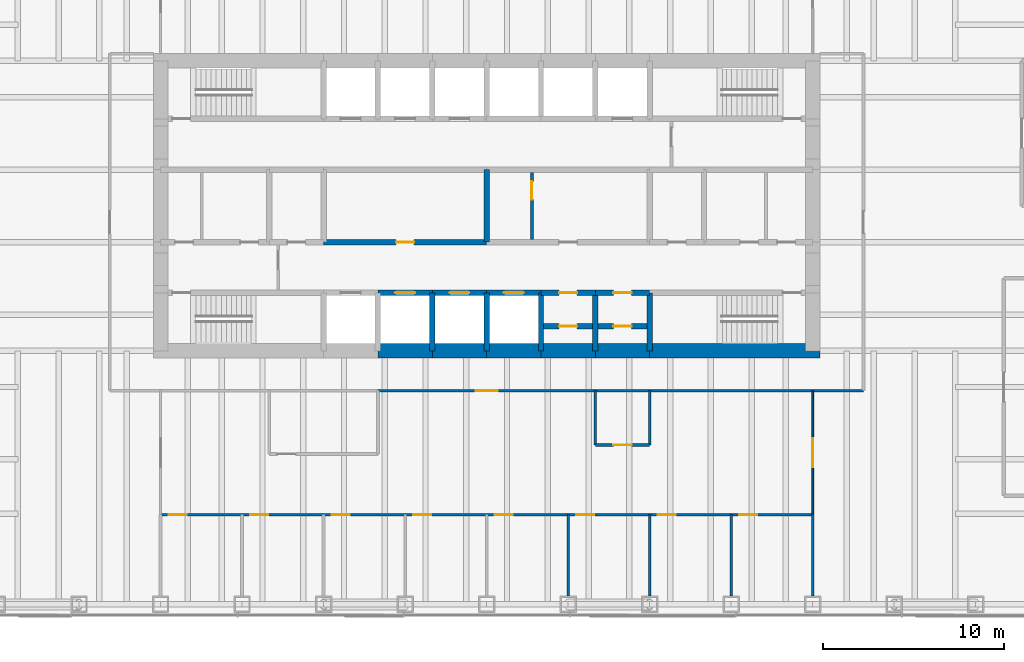
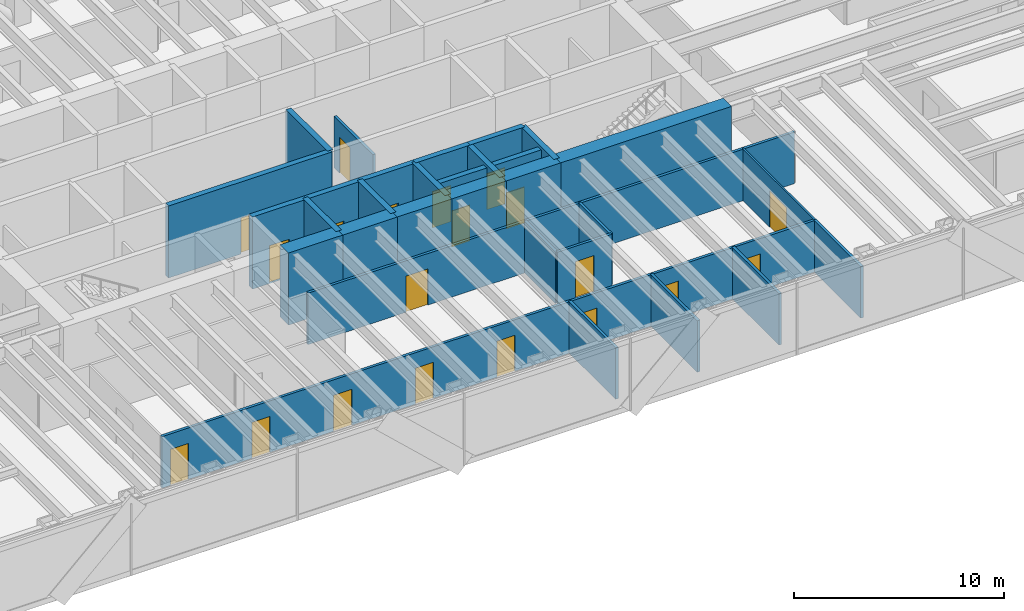
# One storey, part 12 of 16: 31 walls, 20 doors, 20 openings.
"""IFC4 building model written with IfcOpenShell, lengths in metres."""

from ifc_helpers import new_model, si_unit, direction, frame, frame_2d, origin, place, context, subcontext, project, spatial, rectangle, extrude, material, layer, layer_set, type_object, element, fill, save


model = new_model("IFC4")

# Units and contexts
model_context = context("Model", 3, precision=1e-05, world=origin(), true_north=direction((0.0, 1.0)))
body_context = subcontext(model_context, "Body", "Model", "MODEL_VIEW")
ifc_project = project(units=[si_unit("LENGTHUNIT", "METRE"), si_unit("AREAUNIT", "SQUARE_METRE"), si_unit("VOLUMEUNIT", "CUBIC_METRE"), si_unit("PLANEANGLEUNIT", "RADIAN"), si_unit("MASSUNIT", "GRAM", prefix="KILO")], contexts=[model_context])

# Site, building, storey
site_placement = place(None, origin())
site = spatial("IfcSite", under=ifc_project, at=site_placement, CompositionType="ELEMENT")
building_placement = place(site_placement, origin())
building = spatial("IfcBuilding", under=site, at=building_placement, Name="Rheinbord Bourse Tower", CompositionType="ELEMENT")
storey_placement = place(building_placement, frame((0.0, 0.0, 219.39990234375)))
storey = spatial("IfcBuildingStorey", under=building, at=storey_placement, Name="L49", CompositionType="ELEMENT", Elevation=219.39990234375)

# Wall, opening, door
ifc_material_1 = material(Name="Concrete C50/60", Category="concrete")
ifc_layer_1 = layer(ifc_material_1, 0.300048828125)
ifc_layer_set_1 = layer_set([ifc_layer_1], Name="CORE INNER WALL 300")
wall_type_1 = type_object("IfcWallType", Name="CORE INNER WALL 300", PredefinedType="SOLIDWALL", material=ifc_layer_set_1)
wall_1_placement = place(storey_placement, frame((30.0, 19.199951171875, 0.0), z_axis=(0.0, 0.0, 1.0), x_axis=(1.0, 0.0, 0.0)))
wall_1 = element("IfcWall", 1, at=wall_1_placement, inside=storey, type_object=wall_type_1, Name="Core wall A3 L49", PredefinedType="SOLIDWALL", context=body_context, shape_type="SweptSolid", body=[
    extrude(rectangle(XDim=3.0, YDim=0.300048828125, at=frame_2d((1.5, 0.0))), origin(), (0.0, 0.0, 1.0), 4.2001953125),
])
opening_1_placement = place(wall_1_placement, frame((0.949951171875, 0.0, 0.0)))
opening_1 = element("IfcOpeningElement", 2, at=opening_1_placement, cuts=wall_1, Name="Opening PC1", PredefinedType="OPENING", context=body_context, shape_type="SweptSolid", body=[
    extrude(rectangle(XDim=1.10009765625, YDim=2.199951171875, at=frame_2d((0.550048828125, 1.10009765625))), frame((0.0, 0.159912109375, 0.0), z_axis=(0.0, -1.0, 0.0), x_axis=(1.0, 0.0, 0.0)), (0.0, 0.0, 1.0), 0.320068359375),
])
ifc_material_2 = material(Name="Steel landing door", Category="steel")
door_type_1 = type_object("IfcDoorType", Name="LIFT LANDING DOOR 1100", OperationType="DOUBLE_DOOR_SLIDING", PredefinedType="USERDEFINED", material=ifc_material_2)
door_1_placement = place(opening_1_placement, origin())
door_1 = element("IfcDoor", 3, at=door_1_placement, inside=storey, type_object=door_type_1, Name="Lift landing door PC1 L49", ObjectType="LIFT LANDING DOOR", OperationType="DOUBLE_DOOR_SLIDING", OverallHeight=2.199951171875, OverallWidth=1.10009765625, PredefinedType="USERDEFINED", context=body_context, shape_type="SweptSolid", body=[
    extrude(rectangle(XDim=1.10009765625, YDim=2.199951171875, at=frame_2d((0.550048828125, 1.10009765625))), frame((0.0, 0.02490234375, 0.0), z_axis=(0.0, -1.0, 0.0), x_axis=(1.0, 0.0, 0.0)), (0.0, 0.0, 1.0), 0.050048828125),
])
fill(opening_1, door_1)

wall_2_placement = place(storey_placement, frame((33.0, 19.199951171875, 0.0), z_axis=(0.0, 0.0, 1.0), x_axis=(1.0, 0.0, 0.0)))
wall_2 = element("IfcWall", 4, at=wall_2_placement, inside=storey, type_object=wall_type_1, Name="Core wall A4 L49", PredefinedType="SOLIDWALL", context=body_context, shape_type="SweptSolid", body=[
    extrude(rectangle(XDim=3.0, YDim=0.300048828125, at=frame_2d((1.5, 0.0))), origin(), (0.0, 0.0, 1.0), 4.2001953125),
])
opening_2_placement = place(wall_2_placement, frame((0.949951171875, 0.0, 0.0)))
opening_2 = element("IfcOpeningElement", 5, at=opening_2_placement, cuts=wall_2, Name="Opening PC2", PredefinedType="OPENING", context=body_context, shape_type="SweptSolid", body=[
    extrude(rectangle(XDim=1.10009765625, YDim=2.199951171875, at=frame_2d((0.550048828125, 1.10009765625))), frame((0.0, 0.159912109375, 0.0), z_axis=(0.0, -1.0, 0.0), x_axis=(1.0, 0.0, 0.0)), (0.0, 0.0, 1.0), 0.320068359375),
])
door_2_placement = place(opening_2_placement, origin())
door_2 = element("IfcDoor", 6, at=door_2_placement, inside=storey, type_object=door_type_1, Name="Lift landing door PC2 L49", ObjectType="LIFT LANDING DOOR", OperationType="DOUBLE_DOOR_SLIDING", OverallHeight=2.199951171875, OverallWidth=1.10009765625, PredefinedType="USERDEFINED", context=body_context, shape_type="SweptSolid", body=[
    extrude(rectangle(XDim=1.10009765625, YDim=2.199951171875, at=frame_2d((0.550048828125, 1.10009765625))), frame((0.0, 0.02490234375, 0.0), z_axis=(0.0, -1.0, 0.0), x_axis=(1.0, 0.0, 0.0)), (0.0, 0.0, 1.0), 0.050048828125),
])
fill(opening_2, door_2)

wall_3_placement = place(storey_placement, frame((36.0, 19.199951171875, 0.0), z_axis=(0.0, 0.0, 1.0), x_axis=(1.0, 0.0, 0.0)))
wall_3 = element("IfcWall", 7, at=wall_3_placement, inside=storey, type_object=wall_type_1, Name="Core wall A5 L49", PredefinedType="SOLIDWALL", context=body_context, shape_type="SweptSolid", body=[
    extrude(rectangle(XDim=3.0, YDim=0.300048828125, at=frame_2d((1.5, 0.0))), origin(), (0.0, 0.0, 1.0), 4.2001953125),
])
opening_3_placement = place(wall_3_placement, frame((0.949951171875, 0.0, 0.0)))
opening_3 = element("IfcOpeningElement", 8, at=opening_3_placement, cuts=wall_3, Name="Opening PC3", PredefinedType="OPENING", context=body_context, shape_type="SweptSolid", body=[
    extrude(rectangle(XDim=1.10009765625, YDim=2.199951171875, at=frame_2d((0.550048828125, 1.10009765625))), frame((0.0, 0.159912109375, 0.0), z_axis=(0.0, -1.0, 0.0), x_axis=(1.0, 0.0, 0.0)), (0.0, 0.0, 1.0), 0.320068359375),
])
door_3_placement = place(opening_3_placement, origin())
door_3 = element("IfcDoor", 9, at=door_3_placement, inside=storey, type_object=door_type_1, Name="Lift landing door PC3 L49", ObjectType="LIFT LANDING DOOR", OperationType="DOUBLE_DOOR_SLIDING", OverallHeight=2.199951171875, OverallWidth=1.10009765625, PredefinedType="USERDEFINED", context=body_context, shape_type="SweptSolid", body=[
    extrude(rectangle(XDim=1.10009765625, YDim=2.199951171875, at=frame_2d((0.550048828125, 1.10009765625))), frame((0.0, 0.02490234375, 0.0), z_axis=(0.0, -1.0, 0.0), x_axis=(1.0, 0.0, 0.0)), (0.0, 0.0, 1.0), 0.050048828125),
])
fill(opening_3, door_3)

wall_4_placement = place(storey_placement, frame((39.0, 19.199951171875, 0.0), z_axis=(0.0, 0.0, 1.0), x_axis=(1.0, 0.0, 0.0)))
wall_4 = element("IfcWall", 10, at=wall_4_placement, inside=storey, type_object=wall_type_1, Name="Core wall A6 L49", PredefinedType="SOLIDWALL", context=body_context, shape_type="SweptSolid", body=[
    extrude(rectangle(XDim=3.0, YDim=0.300048828125, at=frame_2d((1.5, 0.0))), origin(), (0.0, 0.0, 1.0), 4.2001953125),
])
opening_4_placement = place(wall_4_placement, frame((1.0, 0.0, 0.0)))
opening_4 = element("IfcOpeningElement", 11, at=opening_4_placement, cuts=wall_4, Name="Opening 49R8", PredefinedType="OPENING", context=body_context, shape_type="SweptSolid", body=[
    extrude(rectangle(XDim=1.0, YDim=2.10009765625, at=frame_2d((0.5, 1.050048828125))), frame((0.0, 0.159912109375, 0.0), z_axis=(0.0, -1.0, 0.0), x_axis=(1.0, 0.0, 0.0)), (0.0, 0.0, 1.0), 0.320068359375),
])
ifc_material_3 = material(Name="Steel door", Category="steel")
door_type_2 = type_object("IfcDoorType", Name="DOOR 1000 EI30", OperationType="SINGLE_SWING_LEFT", PredefinedType="DOOR", material=ifc_material_3)
door_4_placement = place(opening_4_placement, origin())
door_4 = element("IfcDoor", 12, at=door_4_placement, inside=storey, type_object=door_type_2, Name="Cleaner's store door L49", OperationType="SINGLE_SWING_LEFT", OverallHeight=2.10009765625, OverallWidth=1.0, PredefinedType="DOOR", context=body_context, shape_type="SweptSolid", body=[
    extrude(rectangle(XDim=1.0, YDim=2.10009765625, at=frame_2d((0.5, 1.050048828125))), frame((0.0, 0.02490234375, 0.0), z_axis=(0.0, -1.0, 0.0), x_axis=(1.0, 0.0, 0.0)), (0.0, 0.0, 1.0), 0.050048828125),
])
fill(opening_4, door_4)

wall_5_placement = place(storey_placement, frame((42.0, 19.199951171875, 0.0), z_axis=(0.0, 0.0, 1.0), x_axis=(1.0, 0.0, 0.0)))
wall_5 = element("IfcWall", 13, at=wall_5_placement, inside=storey, type_object=wall_type_1, Name="Core wall A7 L49", PredefinedType="SOLIDWALL", context=body_context, shape_type="SweptSolid", body=[
    extrude(rectangle(XDim=3.0, YDim=0.300048828125, at=frame_2d((1.5, 0.0))), origin(), (0.0, 0.0, 1.0), 4.2001953125),
])
opening_5_placement = place(wall_5_placement, frame((1.0, 0.0, 0.0)))
opening_5 = element("IfcOpeningElement", 14, at=opening_5_placement, cuts=wall_5, Name="Opening 49R9", PredefinedType="OPENING", context=body_context, shape_type="SweptSolid", body=[
    extrude(rectangle(XDim=1.0, YDim=2.10009765625, at=frame_2d((0.5, 1.050048828125))), frame((0.0, 0.159912109375, 0.0), z_axis=(0.0, -1.0, 0.0), x_axis=(1.0, 0.0, 0.0)), (0.0, 0.0, 1.0), 0.320068359375),
])
door_5_placement = place(opening_5_placement, origin())
door_5 = element("IfcDoor", 15, at=door_5_placement, inside=storey, type_object=door_type_2, Name="Pantry door L49", OperationType="SINGLE_SWING_LEFT", OverallHeight=2.10009765625, OverallWidth=1.0, PredefinedType="DOOR", context=body_context, shape_type="SweptSolid", body=[
    extrude(rectangle(XDim=1.0, YDim=2.10009765625, at=frame_2d((0.5, 1.050048828125))), frame((0.0, 0.02490234375, 0.0), z_axis=(0.0, -1.0, 0.0), x_axis=(1.0, 0.0, 0.0)), (0.0, 0.0, 1.0), 0.050048828125),
])
fill(opening_5, door_5)

wall_6_placement = place(storey_placement, frame((27.0, 22.0, 0.0), z_axis=(0.0, 0.0, 1.0), x_axis=(1.0, 0.0, 0.0)))
wall_6 = element("IfcWall", 16, at=wall_6_placement, inside=storey, type_object=wall_type_1, Name="Core wall C3 L49", PredefinedType="SOLIDWALL", context=body_context, shape_type="SweptSolid", body=[
    extrude(rectangle(XDim=9.0, YDim=0.300048828125, at=frame_2d((4.5, 0.0))), origin(), (0.0, 0.0, 1.0), 4.2001953125),
])
opening_6_placement = place(wall_6_placement, frame((4.0, 0.0, 0.0)))
opening_6 = element("IfcOpeningElement", 17, at=opening_6_placement, cuts=wall_6, Name="Opening 49R3", PredefinedType="OPENING", context=body_context, shape_type="SweptSolid", body=[
    extrude(rectangle(XDim=1.0, YDim=2.10009765625, at=frame_2d((0.5, 1.050048828125))), frame((0.0, 0.159912109375, 0.0), z_axis=(0.0, -1.0, 0.0), x_axis=(1.0, 0.0, 0.0)), (0.0, 0.0, 1.0), 0.320068359375),
])
door_6_placement = place(opening_6_placement, origin())
door_6 = element("IfcDoor", 18, at=door_6_placement, inside=storey, type_object=door_type_2, Name="Riser door L49", OperationType="SINGLE_SWING_LEFT", OverallHeight=2.10009765625, OverallWidth=1.0, PredefinedType="DOOR", context=body_context, shape_type="SweptSolid", body=[
    extrude(rectangle(XDim=1.0, YDim=2.10009765625, at=frame_2d((0.5, 1.050048828125))), frame((0.0, 0.02490234375, 0.0), z_axis=(0.0, -1.0, 0.0), x_axis=(1.0, 0.0, 0.0)), (0.0, 0.0, 1.0), 0.050048828125),
])
fill(opening_6, door_6)

# Walls
for number, where, z_axis, x_axis, name in (
    (19, (33.0, 16.0, 0.0), (0.0, 0.0, 1.0), (0.0, 1.0, 0.0), "Core wall SX33 L49"),
    (20, (36.0, 16.0, 0.0), (0.0, 0.0, 1.0), (0.0, 1.0, 0.0), "Core wall SX36 L49"),
    (21, (39.0, 16.0, 0.0), (0.0, 0.0, 1.0), (0.0, 1.0, 0.0), "Core wall SX39 L49"),
    (22, (42.0, 16.0, 0.0), (0.0, 0.0, 1.0), (0.0, 1.0, 0.0), "Core wall SX42 L49"),
    (23, (45.0, 16.0, 0.0), (0.0, 0.0, 1.0), (0.0, 1.0, 0.0), "Core wall SX45 L49"),
):
    element("IfcWall", number, at=place(storey_placement, frame(where, z_axis=z_axis, x_axis=x_axis)), inside=storey, type_object=wall_type_1, Name=name, PredefinedType="SOLIDWALL", context=body_context, shape_type="SweptSolid", body=[
        extrude(rectangle(XDim=3.199951171875, YDim=0.300048828125, at=frame_2d((1.60009765625, 0.0))), origin(), (0.0, 0.0, 1.0), 4.2001953125),
    ])
wall_7_placement = place(storey_placement, frame((36.0, 22.0, 0.0), z_axis=(0.0, 0.0, 1.0), x_axis=(0.0, 1.0, 0.0)))
element("IfcWall", 24, at=wall_7_placement, inside=storey, type_object=wall_type_1, Name="Core wall MX36 L49", PredefinedType="SOLIDWALL", context=body_context, shape_type="SweptSolid", body=[
    extrude(rectangle(XDim=4.0, YDim=0.300048828125, at=frame_2d((2.0, 0.0))), origin(), (0.0, 0.0, 1.0), 4.2001953125),
])

# Wall, opening, door
wall_8_placement = place(storey_placement, frame((39.14990234375, 17.35009765625, 0.0), z_axis=(0.0, 0.0, 1.0), x_axis=(1.0, 0.0, 0.0)))
wall_8 = element("IfcWall", 25, at=wall_8_placement, inside=storey, type_object=wall_type_1, Name="Core riser wall L49-6", PredefinedType="SOLIDWALL", context=body_context, shape_type="SweptSolid", body=[
    extrude(rectangle(XDim=2.7001953125, YDim=0.300048828125, at=frame_2d((1.35009765625, 0.0))), origin(), (0.0, 0.0, 1.0), 4.0400390625),
])
opening_7_placement = place(wall_8_placement, frame((0.85009765625, 0.0, 0.0)))
opening_7 = element("IfcOpeningElement", 26, at=opening_7_placement, cuts=wall_8, Name="Opening 49R12", PredefinedType="OPENING", context=body_context, shape_type="SweptSolid", body=[
    extrude(rectangle(XDim=1.0, YDim=2.10009765625, at=frame_2d((0.5, 1.050048828125))), frame((0.0, 0.159912109375, 0.0), z_axis=(0.0, -1.0, 0.0), x_axis=(1.0, 0.0, 0.0)), (0.0, 0.0, 1.0), 0.320068359375),
])
door_7_placement = place(opening_7_placement, origin())
door_7 = element("IfcDoor", 27, at=door_7_placement, inside=storey, type_object=door_type_2, Name="Comms riser door L49", OperationType="SINGLE_SWING_LEFT", OverallHeight=2.10009765625, OverallWidth=1.0, PredefinedType="DOOR", context=body_context, shape_type="SweptSolid", body=[
    extrude(rectangle(XDim=1.0, YDim=2.10009765625, at=frame_2d((0.5, 1.050048828125))), frame((0.0, 0.02490234375, 0.0), z_axis=(0.0, -1.0, 0.0), x_axis=(1.0, 0.0, 0.0)), (0.0, 0.0, 1.0), 0.050048828125),
])
fill(opening_7, door_7)

wall_9_placement = place(storey_placement, frame((42.14990234375, 17.35009765625, 0.0), z_axis=(0.0, 0.0, 1.0), x_axis=(1.0, 0.0, 0.0)))
wall_9 = element("IfcWall", 28, at=wall_9_placement, inside=storey, type_object=wall_type_1, Name="Core riser wall L49-7", PredefinedType="SOLIDWALL", context=body_context, shape_type="SweptSolid", body=[
    extrude(rectangle(XDim=2.7001953125, YDim=0.300048828125, at=frame_2d((1.35009765625, 0.0))), origin(), (0.0, 0.0, 1.0), 4.0400390625),
])
opening_8_placement = place(wall_9_placement, frame((0.85009765625, 0.0, 0.0)))
opening_8 = element("IfcOpeningElement", 29, at=opening_8_placement, cuts=wall_9, Name="Opening 49R13", PredefinedType="OPENING", context=body_context, shape_type="SweptSolid", body=[
    extrude(rectangle(XDim=1.0, YDim=2.10009765625, at=frame_2d((0.5, 1.050048828125))), frame((0.0, 0.159912109375, 0.0), z_axis=(0.0, -1.0, 0.0), x_axis=(1.0, 0.0, 0.0)), (0.0, 0.0, 1.0), 0.320068359375),
])
door_8_placement = place(opening_8_placement, origin())
door_8 = element("IfcDoor", 30, at=door_8_placement, inside=storey, type_object=door_type_2, Name="Electrical riser door L49", OperationType="SINGLE_SWING_LEFT", OverallHeight=2.10009765625, OverallWidth=1.0, PredefinedType="DOOR", context=body_context, shape_type="SweptSolid", body=[
    extrude(rectangle(XDim=1.0, YDim=2.10009765625, at=frame_2d((0.5, 1.050048828125))), frame((0.0, 0.02490234375, 0.0), z_axis=(0.0, -1.0, 0.0), x_axis=(1.0, 0.0, 0.0)), (0.0, 0.0, 1.0), 0.050048828125),
])
fill(opening_8, door_8)

ifc_material_4 = material(Name="Gypsum board fire partition", Category="gypsum board")
ifc_layer_2 = layer(ifc_material_4, 0.14990234375)
ifc_layer_set_2 = layer_set([ifc_layer_2], Name="CORE PARTITION 150 EI30")
wall_type_2 = type_object("IfcWallType", Name="CORE PARTITION 150 EI30", PredefinedType="PARTITIONING", material=ifc_layer_set_2)
wall_10_placement = place(storey_placement, frame((38.5, 22.14990234375, 0.0), z_axis=(0.0, 0.0, 1.0), x_axis=(0.0, 1.0, 0.0)))
wall_10 = element("IfcWall", 31, at=wall_10_placement, inside=storey, type_object=wall_type_2, Name="Core partition L49-1", PredefinedType="PARTITIONING", context=body_context, shape_type="SweptSolid", body=[
    extrude(rectangle(XDim=3.7001953125, YDim=0.14990234375, at=frame_2d((1.85009765625, 0.0))), origin(), (0.0, 0.0, 1.0), 3.0),
])
opening_9_placement = place(wall_10_placement, frame((2.199951171875, 0.0, 0.0)))
opening_9 = element("IfcOpeningElement", 32, at=opening_9_placement, cuts=wall_10, Name="Opening 49R7", PredefinedType="OPENING", context=body_context, shape_type="SweptSolid", body=[
    extrude(rectangle(XDim=1.0, YDim=2.10009765625, at=frame_2d((0.5, 1.050048828125))), frame((0.0, 0.0849609375, 0.0), z_axis=(0.0, -1.0, 0.0), x_axis=(1.0, 0.0, 0.0)), (0.0, 0.0, 1.0), 0.169921875),
])
door_9_placement = place(opening_9_placement, origin())
door_9 = element("IfcDoor", 33, at=door_9_placement, inside=storey, type_object=door_type_2, Name="Furniture store door L49", OperationType="SINGLE_SWING_RIGHT", OverallHeight=2.10009765625, OverallWidth=1.0, PredefinedType="DOOR", context=body_context, shape_type="SweptSolid", body=[
    extrude(rectangle(XDim=1.0, YDim=2.10009765625, at=frame_2d((0.5, 1.050048828125))), frame((0.0, 0.02490234375, 0.0), z_axis=(0.0, -1.0, 0.0), x_axis=(1.0, 0.0, 0.0)), (0.0, 0.0, 1.0), 0.050048828125),
])
fill(opening_9, door_9)

# Walls
ifc_material_5 = material(Name="Concrete C50/60", Category="concrete")
ifc_layer_3 = layer(ifc_material_5, 0.800048828125)
ifc_layer_set_3 = layer_set([ifc_layer_3], Name="CORE WALL 800")
wall_type_3 = type_object("IfcWallType", Name="CORE WALL 800", PredefinedType="SHEAR", material=ifc_layer_set_3)
for number, where, z_axis, x_axis, name in (
    (34, (30.0, 16.0, 0.0), (0.0, 0.0, 1.0), (1.0, 0.0, 0.0), "Core wall S3 L49"),
    (35, (33.0, 16.0, 0.0), (0.0, 0.0, 1.0), (1.0, 0.0, 0.0), "Core wall S4 L49"),
    (36, (36.0, 16.0, 0.0), (0.0, 0.0, 1.0), (1.0, 0.0, 0.0), "Core wall S5 L49"),
    (37, (39.0, 16.0, 0.0), (0.0, 0.0, 1.0), (1.0, 0.0, 0.0), "Core wall S6 L49"),
    (38, (42.0, 16.0, 0.0), (0.0, 0.0, 1.0), (1.0, 0.0, 0.0), "Core wall S7 L49"),
):
    element("IfcWall", number, at=place(storey_placement, frame(where, z_axis=z_axis, x_axis=x_axis)), inside=storey, type_object=wall_type_3, Name=name, PredefinedType="SHEAR", context=body_context, shape_type="SweptSolid", body=[
        extrude(rectangle(XDim=3.0, YDim=0.800048828125, at=frame_2d((1.5, 0.0))), origin(), (0.0, 0.0, 1.0), 4.2001953125),
    ])
wall_11_placement = place(storey_placement, frame((45.0, 16.0, 0.0), z_axis=(0.0, 0.0, 1.0), x_axis=(1.0, 0.0, 0.0)))
element("IfcWall", 39, at=wall_11_placement, inside=storey, type_object=wall_type_3, Name="Core wall S8 L49", PredefinedType="SHEAR", context=body_context, shape_type="SweptSolid", body=[
    extrude(rectangle(XDim=9.39990234375, YDim=0.800048828125, at=frame_2d((4.699951171875, 0.0))), origin(), (0.0, 0.0, 1.0), 4.2001953125),
])

# Wall, opening, door
ifc_material_6 = material(Name="Gypsum board corridor partition", Category="gypsum board")
ifc_layer_4 = layer(ifc_material_6, 0.14990234375)
ifc_layer_set_4 = layer_set([ifc_layer_4], Name="CORRIDOR PARTITION 150 EI30")
wall_type_4 = type_object("IfcWallType", Name="CORRIDOR PARTITION 150 EI30", PredefinedType="PARTITIONING", material=ifc_layer_set_4)
wall_12_placement = place(storey_placement, frame((30.0, 13.800048828125, 0.0), z_axis=(0.0, 0.0, 1.0), x_axis=(1.0, 0.0, 0.0)))
wall_12 = element("IfcWall", 40, at=wall_12_placement, inside=storey, type_object=wall_type_4, Name="Partition L49-08", PredefinedType="PARTITIONING", context=body_context, shape_type="SweptSolid", body=[
    extrude(rectangle(XDim=26.800048828125, YDim=0.14990234375, at=frame_2d((13.39990234375, 0.0))), origin(), (0.0, 0.0, 1.0), 3.0),
])
opening_10_placement = place(wall_12_placement, frame((5.39990234375, 0.0, 0.0)))
opening_10 = element("IfcOpeningElement", 41, at=opening_10_placement, cuts=wall_12, Name="Opening 49D29", PredefinedType="OPENING", context=body_context, shape_type="SweptSolid", body=[
    extrude(rectangle(XDim=1.199951171875, YDim=2.10009765625, at=frame_2d((0.60009765625, 1.050048828125))), frame((0.0, 0.0849609375, 0.0), z_axis=(0.0, -1.0, 0.0), x_axis=(1.0, 0.0, 0.0)), (0.0, 0.0, 1.0), 0.169921875),
])
ifc_material_7 = material(Name="Timber fire door", Category="wood")
door_type_3 = type_object("IfcDoorType", Name="SUITE ENTRANCE DOOR 1200 EI30", OperationType="SINGLE_SWING_LEFT", PredefinedType="DOOR", material=ifc_material_7)
door_10_placement = place(opening_10_placement, origin())
door_10 = element("IfcDoor", 42, at=door_10_placement, inside=storey, type_object=door_type_3, Name="Suite entrance 3 door L49", OperationType="SINGLE_SWING_LEFT", OverallHeight=2.10009765625, OverallWidth=1.199951171875, PredefinedType="DOOR", context=body_context, shape_type="SweptSolid", body=[
    extrude(rectangle(XDim=1.199951171875, YDim=2.10009765625, at=frame_2d((0.60009765625, 1.050048828125))), frame((0.0, 0.02490234375, 0.0), z_axis=(0.0, -1.0, 0.0), x_axis=(1.0, 0.0, 0.0)), (0.0, 0.0, 1.0), 0.050048828125),
])
fill(opening_10, door_10)

ifc_material_8 = material(Name="Toughened laminated glass partition", Category="glass")
ifc_layer_5 = layer(ifc_material_8, 0.10009765625)
ifc_layer_set_5 = layer_set([ifc_layer_5], Name="GLAZED PARTITION 100")
wall_type_5 = type_object("IfcWallType", Name="GLAZED PARTITION 100", PredefinedType="PARTITIONING", material=ifc_layer_set_5)
wall_13_placement = place(storey_placement, frame((54.0, 6.949951171875, 0.0), z_axis=(0.0, 0.0, 1.0), x_axis=(0.0, 1.0, 0.0)))
wall_13 = element("IfcWall", 43, at=wall_13_placement, inside=storey, type_object=wall_type_5, Name="Partition L49-41", PredefinedType="PARTITIONING", context=body_context, shape_type="SweptSolid", body=[
    extrude(rectangle(XDim=6.85009765625, YDim=0.10009765625, at=frame_2d((3.425048828125, 0.0))), origin(), (0.0, 0.0, 1.0), 3.0),
])
opening_11_placement = place(wall_13_placement, frame((2.625, 0.0, 0.0)))
opening_11 = element("IfcOpeningElement", 44, at=opening_11_placement, cuts=wall_13, Name="Opening 49D25", PredefinedType="OPENING", context=body_context, shape_type="SweptSolid", body=[
    extrude(rectangle(XDim=1.60009765625, YDim=2.10009765625, at=frame_2d((0.800048828125, 1.050048828125))), frame((0.0, 0.06005859375, 0.0), z_axis=(0.0, -1.0, 0.0), x_axis=(1.0, 0.0, 0.0)), (0.0, 0.0, 1.0), 0.1201171875),
])
ifc_material_9 = material(Name="Timber door", Category="wood")
door_type_4 = type_object("IfcDoorType", Name="DOUBLE ROOM DOOR 1600", OperationType="DOUBLE_DOOR_DOUBLE_SWING", PredefinedType="DOOR", material=ifc_material_9)
door_11_placement = place(opening_11_placement, origin())
door_11 = element("IfcDoor", 45, at=door_11_placement, inside=storey, type_object=door_type_4, Name="Open area door L49", OperationType="SINGLE_SWING_LEFT", OverallHeight=2.10009765625, OverallWidth=1.60009765625, PredefinedType="DOOR", context=body_context, shape_type="SweptSolid", body=[
    extrude(rectangle(XDim=1.60009765625, YDim=2.10009765625, at=frame_2d((0.800048828125, 1.050048828125))), frame((0.0, 0.02490234375, 0.0), z_axis=(0.0, -1.0, 0.0), x_axis=(1.0, 0.0, 0.0)), (0.0, 0.0, 1.0), 0.050048828125),
])
fill(opening_11, door_11)

# Wall, openings, doors
ifc_material_10 = material(Name="Gypsum board partition", Category="gypsum board")
ifc_layer_6 = layer(ifc_material_10, 0.14990234375)
ifc_layer_set_6 = layer_set([ifc_layer_6], Name="PARTITION 150")
wall_type_6 = type_object("IfcWallType", Name="PARTITION 150", PredefinedType="PARTITIONING", material=ifc_layer_set_6)
wall_14_placement = place(storey_placement, frame((18.0, 6.949951171875, 0.0), z_axis=(0.0, 0.0, 1.0), x_axis=(1.0, 0.0, 0.0)))
wall_14 = element("IfcWall", 46, at=wall_14_placement, inside=storey, type_object=wall_type_6, Name="Partition L49-01", PredefinedType="PARTITIONING", context=body_context, shape_type="SweptSolid", body=[
    extrude(rectangle(XDim=36.0, YDim=0.14990234375, at=frame_2d((18.0, 0.0))), origin(), (0.0, 0.0, 1.0), 3.0),
])
opening_12_placement = place(wall_14_placement, frame((0.449951171875, 0.0, 0.0)))
opening_12 = element("IfcOpeningElement", 47, at=opening_12_placement, cuts=wall_14, Name="Opening 49D01", PredefinedType="OPENING", context=body_context, shape_type="SweptSolid", body=[
    extrude(rectangle(XDim=1.0, YDim=2.10009765625, at=frame_2d((0.5, 1.050048828125))), frame((0.0, 0.0849609375, 0.0), z_axis=(0.0, -1.0, 0.0), x_axis=(1.0, 0.0, 0.0)), (0.0, 0.0, 1.0), 0.169921875),
])
opening_13_placement = place(wall_14_placement, frame((4.949951171875, 0.0, 0.0)))
opening_13 = element("IfcOpeningElement", 48, at=opening_13_placement, cuts=wall_14, Name="Opening 49D02", PredefinedType="OPENING", context=body_context, shape_type="SweptSolid", body=[
    extrude(rectangle(XDim=1.0, YDim=2.10009765625, at=frame_2d((0.5, 1.050048828125))), frame((0.0, 0.0849609375, 0.0), z_axis=(0.0, -1.0, 0.0), x_axis=(1.0, 0.0, 0.0)), (0.0, 0.0, 1.0), 0.169921875),
])
opening_14_placement = place(wall_14_placement, frame((9.449951171875, 0.0, 0.0)))
opening_14 = element("IfcOpeningElement", 49, at=opening_14_placement, cuts=wall_14, Name="Opening 49D03", PredefinedType="OPENING", context=body_context, shape_type="SweptSolid", body=[
    extrude(rectangle(XDim=1.0, YDim=2.10009765625, at=frame_2d((0.5, 1.050048828125))), frame((0.0, 0.0849609375, 0.0), z_axis=(0.0, -1.0, 0.0), x_axis=(1.0, 0.0, 0.0)), (0.0, 0.0, 1.0), 0.169921875),
])
opening_15_placement = place(wall_14_placement, frame((13.949951171875, 0.0, 0.0)))
opening_15 = element("IfcOpeningElement", 50, at=opening_15_placement, cuts=wall_14, Name="Opening 49D04", PredefinedType="OPENING", context=body_context, shape_type="SweptSolid", body=[
    extrude(rectangle(XDim=1.0, YDim=2.10009765625, at=frame_2d((0.5, 1.050048828125))), frame((0.0, 0.0849609375, 0.0), z_axis=(0.0, -1.0, 0.0), x_axis=(1.0, 0.0, 0.0)), (0.0, 0.0, 1.0), 0.169921875),
])
opening_16_placement = place(wall_14_placement, frame((18.449951171875, 0.0, 0.0)))
opening_16 = element("IfcOpeningElement", 51, at=opening_16_placement, cuts=wall_14, Name="Opening 49D05", PredefinedType="OPENING", context=body_context, shape_type="SweptSolid", body=[
    extrude(rectangle(XDim=1.0, YDim=2.10009765625, at=frame_2d((0.5, 1.050048828125))), frame((0.0, 0.0849609375, 0.0), z_axis=(0.0, -1.0, 0.0), x_axis=(1.0, 0.0, 0.0)), (0.0, 0.0, 1.0), 0.169921875),
])
opening_17_placement = place(wall_14_placement, frame((22.949951171875, 0.0, 0.0)))
opening_17 = element("IfcOpeningElement", 52, at=opening_17_placement, cuts=wall_14, Name="Opening 49D06", PredefinedType="OPENING", context=body_context, shape_type="SweptSolid", body=[
    extrude(rectangle(XDim=1.0, YDim=2.10009765625, at=frame_2d((0.5, 1.050048828125))), frame((0.0, 0.0849609375, 0.0), z_axis=(0.0, -1.0, 0.0), x_axis=(1.0, 0.0, 0.0)), (0.0, 0.0, 1.0), 0.169921875),
])
opening_18_placement = place(wall_14_placement, frame((27.449951171875, 0.0, 0.0)))
opening_18 = element("IfcOpeningElement", 53, at=opening_18_placement, cuts=wall_14, Name="Opening 49D07", PredefinedType="OPENING", context=body_context, shape_type="SweptSolid", body=[
    extrude(rectangle(XDim=1.0, YDim=2.10009765625, at=frame_2d((0.5, 1.050048828125))), frame((0.0, 0.0849609375, 0.0), z_axis=(0.0, -1.0, 0.0), x_axis=(1.0, 0.0, 0.0)), (0.0, 0.0, 1.0), 0.169921875),
])
opening_19_placement = place(wall_14_placement, frame((31.949951171875, 0.0, 0.0)))
opening_19 = element("IfcOpeningElement", 54, at=opening_19_placement, cuts=wall_14, Name="Opening 49D08", PredefinedType="OPENING", context=body_context, shape_type="SweptSolid", body=[
    extrude(rectangle(XDim=1.0, YDim=2.10009765625, at=frame_2d((0.5, 1.050048828125))), frame((0.0, 0.0849609375, 0.0), z_axis=(0.0, -1.0, 0.0), x_axis=(1.0, 0.0, 0.0)), (0.0, 0.0, 1.0), 0.169921875),
])
ifc_material_11 = material(Name="Timber door", Category="wood")
door_type_5 = type_object("IfcDoorType", Name="ROOM DOOR 1000", OperationType="SINGLE_SWING_LEFT", PredefinedType="DOOR", material=ifc_material_11)
door_12_placement = place(opening_12_placement, origin())
door_12 = element("IfcDoor", 55, at=door_12_placement, inside=storey, type_object=door_type_5, Name="Office door L49", OperationType="SINGLE_SWING_LEFT", OverallHeight=2.10009765625, OverallWidth=1.0, PredefinedType="DOOR", context=body_context, shape_type="SweptSolid", body=[
    extrude(rectangle(XDim=1.0, YDim=2.10009765625, at=frame_2d((0.5, 1.050048828125))), frame((0.0, 0.02490234375, 0.0), z_axis=(0.0, -1.0, 0.0), x_axis=(1.0, 0.0, 0.0)), (0.0, 0.0, 1.0), 0.050048828125),
])
fill(opening_12, door_12)
door_13_placement = place(opening_13_placement, origin())
door_13 = element("IfcDoor", 56, at=door_13_placement, inside=storey, type_object=door_type_5, Name="Office door L49", OperationType="SINGLE_SWING_LEFT", OverallHeight=2.10009765625, OverallWidth=1.0, PredefinedType="DOOR", context=body_context, shape_type="SweptSolid", body=[
    extrude(rectangle(XDim=1.0, YDim=2.10009765625, at=frame_2d((0.5, 1.050048828125))), frame((0.0, 0.02490234375, 0.0), z_axis=(0.0, -1.0, 0.0), x_axis=(1.0, 0.0, 0.0)), (0.0, 0.0, 1.0), 0.050048828125),
])
fill(opening_13, door_13)
door_14_placement = place(opening_14_placement, origin())
door_14 = element("IfcDoor", 57, at=door_14_placement, inside=storey, type_object=door_type_5, Name="Office door L49", OperationType="SINGLE_SWING_LEFT", OverallHeight=2.10009765625, OverallWidth=1.0, PredefinedType="DOOR", context=body_context, shape_type="SweptSolid", body=[
    extrude(rectangle(XDim=1.0, YDim=2.10009765625, at=frame_2d((0.5, 1.050048828125))), frame((0.0, 0.02490234375, 0.0), z_axis=(0.0, -1.0, 0.0), x_axis=(1.0, 0.0, 0.0)), (0.0, 0.0, 1.0), 0.050048828125),
])
fill(opening_14, door_14)
door_15_placement = place(opening_15_placement, origin())
door_15 = element("IfcDoor", 58, at=door_15_placement, inside=storey, type_object=door_type_5, Name="Office door L49", OperationType="SINGLE_SWING_LEFT", OverallHeight=2.10009765625, OverallWidth=1.0, PredefinedType="DOOR", context=body_context, shape_type="SweptSolid", body=[
    extrude(rectangle(XDim=1.0, YDim=2.10009765625, at=frame_2d((0.5, 1.050048828125))), frame((0.0, 0.02490234375, 0.0), z_axis=(0.0, -1.0, 0.0), x_axis=(1.0, 0.0, 0.0)), (0.0, 0.0, 1.0), 0.050048828125),
])
fill(opening_15, door_15)
door_16_placement = place(opening_16_placement, origin())
door_16 = element("IfcDoor", 59, at=door_16_placement, inside=storey, type_object=door_type_5, Name="Office door L49", OperationType="SINGLE_SWING_RIGHT", OverallHeight=2.10009765625, OverallWidth=1.0, PredefinedType="DOOR", context=body_context, shape_type="SweptSolid", body=[
    extrude(rectangle(XDim=1.0, YDim=2.10009765625, at=frame_2d((0.5, 1.050048828125))), frame((0.0, 0.02490234375, 0.0), z_axis=(0.0, -1.0, 0.0), x_axis=(1.0, 0.0, 0.0)), (0.0, 0.0, 1.0), 0.050048828125),
])
fill(opening_16, door_16)
door_17_placement = place(opening_17_placement, origin())
door_17 = element("IfcDoor", 60, at=door_17_placement, inside=storey, type_object=door_type_5, Name="Office door L49", OperationType="SINGLE_SWING_RIGHT", OverallHeight=2.10009765625, OverallWidth=1.0, PredefinedType="DOOR", context=body_context, shape_type="SweptSolid", body=[
    extrude(rectangle(XDim=1.0, YDim=2.10009765625, at=frame_2d((0.5, 1.050048828125))), frame((0.0, 0.02490234375, 0.0), z_axis=(0.0, -1.0, 0.0), x_axis=(1.0, 0.0, 0.0)), (0.0, 0.0, 1.0), 0.050048828125),
])
fill(opening_17, door_17)
door_18_placement = place(opening_18_placement, origin())
door_18 = element("IfcDoor", 61, at=door_18_placement, inside=storey, type_object=door_type_5, Name="Office door L49", OperationType="SINGLE_SWING_RIGHT", OverallHeight=2.10009765625, OverallWidth=1.0, PredefinedType="DOOR", context=body_context, shape_type="SweptSolid", body=[
    extrude(rectangle(XDim=1.0, YDim=2.10009765625, at=frame_2d((0.5, 1.050048828125))), frame((0.0, 0.02490234375, 0.0), z_axis=(0.0, -1.0, 0.0), x_axis=(1.0, 0.0, 0.0)), (0.0, 0.0, 1.0), 0.050048828125),
])
fill(opening_18, door_18)
door_19_placement = place(opening_19_placement, origin())
door_19 = element("IfcDoor", 62, at=door_19_placement, inside=storey, type_object=door_type_5, Name="Office door L49", OperationType="SINGLE_SWING_RIGHT", OverallHeight=2.10009765625, OverallWidth=1.0, PredefinedType="DOOR", context=body_context, shape_type="SweptSolid", body=[
    extrude(rectangle(XDim=1.0, YDim=2.10009765625, at=frame_2d((0.5, 1.050048828125))), frame((0.0, 0.02490234375, 0.0), z_axis=(0.0, -1.0, 0.0), x_axis=(1.0, 0.0, 0.0)), (0.0, 0.0, 1.0), 0.050048828125),
])
fill(opening_19, door_19)

# Wall, opening, door
wall_15_placement = place(storey_placement, frame((42.0, 10.800048828125, 0.0), z_axis=(0.0, 0.0, 1.0), x_axis=(1.0, 0.0, 0.0)))
wall_15 = element("IfcWall", 63, at=wall_15_placement, inside=storey, type_object=wall_type_6, Name="Partition L49-04", PredefinedType="PARTITIONING", context=body_context, shape_type="SweptSolid", body=[
    extrude(rectangle(XDim=3.0, YDim=0.14990234375, at=frame_2d((1.5, 0.0))), origin(), (0.0, 0.0, 1.0), 3.0),
])
opening_20_placement = place(wall_15_placement, frame((1.0, 0.0, 0.0)))
opening_20 = element("IfcOpeningElement", 64, at=opening_20_placement, cuts=wall_15, Name="Opening 49D10", PredefinedType="OPENING", context=body_context, shape_type="SweptSolid", body=[
    extrude(rectangle(XDim=1.0, YDim=2.10009765625, at=frame_2d((0.5, 1.050048828125))), frame((0.0, 0.0849609375, 0.0), z_axis=(0.0, -1.0, 0.0), x_axis=(1.0, 0.0, 0.0)), (0.0, 0.0, 1.0), 0.169921875),
])
door_20_placement = place(opening_20_placement, origin())
door_20 = element("IfcDoor", 65, at=door_20_placement, inside=storey, type_object=door_type_5, Name="Print room door L49", OperationType="SINGLE_SWING_LEFT", OverallHeight=2.10009765625, OverallWidth=1.0, PredefinedType="DOOR", context=body_context, shape_type="SweptSolid", body=[
    extrude(rectangle(XDim=1.0, YDim=2.10009765625, at=frame_2d((0.5, 1.050048828125))), frame((0.0, 0.02490234375, 0.0), z_axis=(0.0, -1.0, 0.0), x_axis=(1.0, 0.0, 0.0)), (0.0, 0.0, 1.0), 0.050048828125),
])
fill(opening_20, door_20)

# Walls
wall_16_placement = place(storey_placement, frame((40.5, 2.449951171875, 0.0), z_axis=(0.0, 0.0, 1.0), x_axis=(0.0, 1.0, 0.0)))
element("IfcWall", 66, at=wall_16_placement, inside=storey, type_object=wall_type_6, Name="Partition L49-32", PredefinedType="PARTITIONING", context=body_context, shape_type="SweptSolid", body=[
    extrude(rectangle(XDim=4.5, YDim=0.14990234375, at=frame_2d((2.25, 0.0))), origin(), (0.0, 0.0, 1.0), 3.0),
])
wall_17_placement = place(storey_placement, frame((42.0, 10.800048828125, 0.0), z_axis=(0.0, 0.0, 1.0), x_axis=(0.0, 1.0, 0.0)))
element("IfcWall", 67, at=wall_17_placement, inside=storey, type_object=wall_type_6, Name="Partition L49-34", PredefinedType="PARTITIONING", context=body_context, shape_type="SweptSolid", body=[
    extrude(rectangle(XDim=3.0, YDim=0.14990234375, at=frame_2d((1.5, 0.0))), origin(), (0.0, 0.0, 1.0), 3.0),
])
wall_18_placement = place(storey_placement, frame((45.0, 2.449951171875, 0.0), z_axis=(0.0, 0.0, 1.0), x_axis=(0.0, 1.0, 0.0)))
element("IfcWall", 68, at=wall_18_placement, inside=storey, type_object=wall_type_6, Name="Partition L49-35", PredefinedType="PARTITIONING", context=body_context, shape_type="SweptSolid", body=[
    extrude(rectangle(XDim=4.5, YDim=0.14990234375, at=frame_2d((2.25, 0.0))), origin(), (0.0, 0.0, 1.0), 3.0),
])
wall_19_placement = place(storey_placement, frame((45.0, 10.800048828125, 0.0), z_axis=(0.0, 0.0, 1.0), x_axis=(0.0, 1.0, 0.0)))
element("IfcWall", 69, at=wall_19_placement, inside=storey, type_object=wall_type_6, Name="Partition L49-36", PredefinedType="PARTITIONING", context=body_context, shape_type="SweptSolid", body=[
    extrude(rectangle(XDim=3.0, YDim=0.14990234375, at=frame_2d((1.5, 0.0))), origin(), (0.0, 0.0, 1.0), 3.0),
])
for number, where, z_axis, x_axis, name in (
    (70, (49.5, 2.449951171875, 0.0), (0.0, 0.0, 1.0), (0.0, 1.0, 0.0), "Partition L49-38"),
    (71, (54.0, 2.449951171875, 0.0), (0.0, 0.0, 1.0), (0.0, 1.0, 0.0), "Partition L49-40"),
):
    element("IfcWall", number, at=place(storey_placement, frame(where, z_axis=z_axis, x_axis=x_axis)), inside=storey, type_object=wall_type_6, Name=name, PredefinedType="PARTITIONING", context=body_context, shape_type="SweptSolid", body=[
        extrude(rectangle(XDim=4.5, YDim=0.14990234375, at=frame_2d((2.25, 0.0))), origin(), (0.0, 0.0, 1.0), 3.0),
    ])

save(model, "model.ifc")
